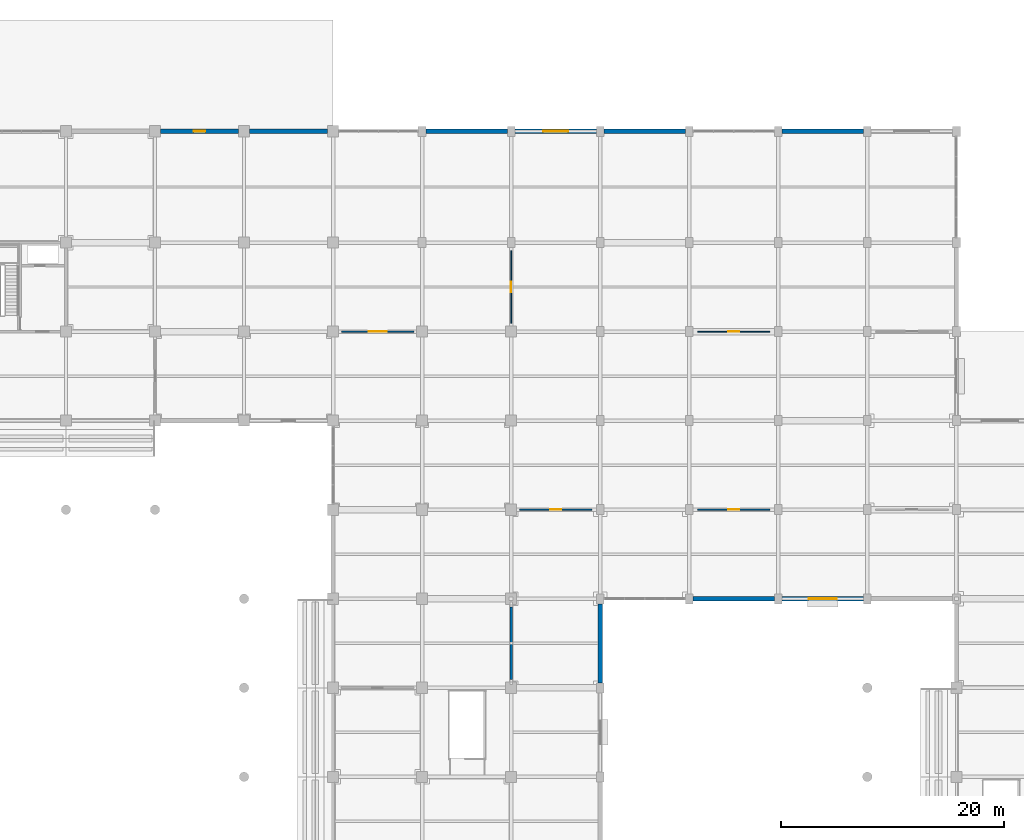
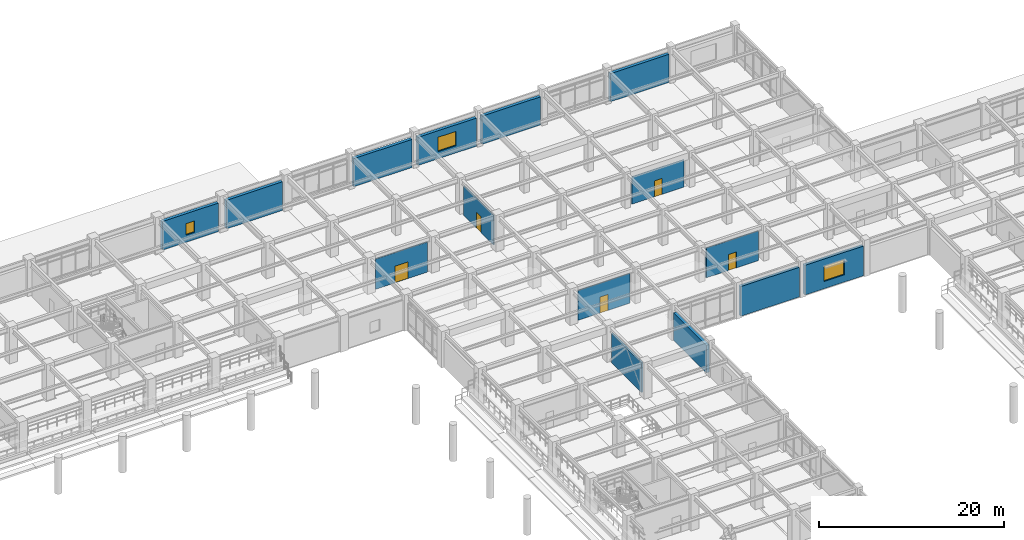
# One storey, part 84 of 117: 15 walls, 5 doors, 3 windows, 8 openings.
"""IFC4 building model written with IfcOpenShell, lengths in metres."""

from ifc_helpers import new_model, si_unit, direction, frame, frame_2d, origin, place, context, subcontext, project, spatial, rectangle, extrude, material, layer, layer_set, type_object, element, fill, save


model = new_model("IFC4")

# Units and contexts
model_context = context("Model", 3, precision=1e-05, world=origin(), true_north=direction((0.0, 1.0)))
body_context = subcontext(model_context, "Body", "Model", "MODEL_VIEW")
ifc_project = project(units=[si_unit("LENGTHUNIT", "METRE"), si_unit("AREAUNIT", "SQUARE_METRE"), si_unit("VOLUMEUNIT", "CUBIC_METRE"), si_unit("PLANEANGLEUNIT", "RADIAN"), si_unit("MASSUNIT", "GRAM", prefix="KILO")], contexts=[model_context])

# Site, building, storey
site_placement = place(None, origin())
site = spatial("IfcSite", under=ifc_project, at=site_placement, CompositionType="ELEMENT")
building_placement = place(site_placement, origin())
building = spatial("IfcBuilding", under=site, at=building_placement, Name="Haebicheon Civic Stadium", CompositionType="ELEMENT")
storey_placement = place(building_placement, frame((0.0, 0.0, 4.800048828125)))
storey = spatial("IfcBuildingStorey", under=building, at=storey_placement, Name="L02", CompositionType="ELEMENT", Elevation=4.800048828125)

# Wall, opening, window
ifc_material_1 = material(Name="Concrete C40/50", Category="concrete")
ifc_layer_1 = layer(ifc_material_1, 0.3798828125, Name="Concrete C40/50")
ifc_layer_set_1 = layer_set([ifc_layer_1], Name="Concrete C40/50")
wall_type_1 = type_object("IfcWallType", Name="EW-BM-380", PredefinedType="SOLIDWALL", material=ifc_layer_set_1)
wall_1_placement = place(storey_placement, frame((128.5, 178.0, 0.0), z_axis=(0.0, 0.0, 1.0), x_axis=(1.0, 0.0, 0.0)))
wall_1 = element("IfcWall", 1, at=wall_1_placement, inside=storey, type_object=wall_type_1, material=ifc_layer_set_1, Name="L02 board-marked concrete facade wall 16-22-N", PredefinedType="SOLIDWALL", context=body_context, shape_type="SweptSolid", body=[
    extrude(rectangle(XDim=7.0, YDim=0.3798828125, at=frame_2d((3.5, 0.0))), origin(), (0.0, 0.0, 1.0), 3.77001953125),
])
opening_1_placement = place(wall_1_placement, frame((2.97509765625, 0.0, 0.949951171875)))
opening_1 = element("IfcOpeningElement", 2, at=opening_1_placement, cuts=wall_1, Name="Opening WIN-105x150", PredefinedType="OPENING", context=body_context, shape_type="SweptSolid", body=[
    extrude(rectangle(XDim=1.050048828125, YDim=1.5, at=frame_2d((0.52490234375, 0.75))), frame((0.0, 0.199951171875, 0.0), z_axis=(0.0, -1.0, 0.0), x_axis=(1.0, 0.0, 0.0)), (0.0, 0.0, 1.0), 0.39990234375),
])
ifc_material_2 = material(Name="Anodised aluminium and laminated glass", Category="aluminium")
window_type_1 = type_object("IfcWindowType", Name="WIN-105x150", PartitioningType="SINGLE_PANEL", PredefinedType="WINDOW", material=ifc_material_2)
window_1_placement = place(opening_1_placement, origin())
window_1 = element("IfcWindow", 3, at=window_1_placement, inside=storey, type_object=window_type_1, material=ifc_material_2, Name="L02 facade window 046", OverallHeight=1.5, OverallWidth=1.050048828125, PartitioningType="SINGLE_PANEL", PredefinedType="WINDOW", context=body_context, shape_type="SweptSolid", body=[
    extrude(rectangle(XDim=1.050048828125, YDim=1.5, at=frame_2d((0.52490234375, 0.75))), frame((0.0, 0.030029296875, 0.0), z_axis=(0.0, -1.0, 0.0), x_axis=(1.0, 0.0, 0.0)), (0.0, 0.0, 1.0), 0.06005859375),
])
fill(opening_1, window_1)

# Walls
wall_2_placement = place(storey_placement, frame((136.5, 178.0, 0.0), z_axis=(0.0, 0.0, 1.0), x_axis=(1.0, 0.0, 0.0)))
element("IfcWall", 4, at=wall_2_placement, inside=storey, type_object=wall_type_1, material=ifc_layer_set_1, Name="L02 board-marked concrete facade wall 17-22-N", PredefinedType="SOLIDWALL", context=body_context, shape_type="SweptSolid", body=[
    extrude(rectangle(XDim=7.0, YDim=0.3798828125, at=frame_2d((3.5, 0.0))), origin(), (0.0, 0.0, 1.0), 3.77001953125),
])
wall_3_placement = place(storey_placement, frame((152.35009765625, 178.0, 0.0), z_axis=(0.0, 0.0, 1.0), x_axis=(1.0, 0.0, 0.0)))
element("IfcWall", 5, at=wall_3_placement, inside=storey, type_object=wall_type_1, material=ifc_layer_set_1, Name="L02 board-marked concrete facade wall 19-22-N", PredefinedType="SOLIDWALL", context=body_context, shape_type="SweptSolid", body=[
    extrude(rectangle(XDim=7.2998046875, YDim=0.3798828125, at=frame_2d((3.64990234375, 0.0))), origin(), (0.0, 0.0, 1.0), 3.7099609375),
])
wall_4_placement = place(storey_placement, frame((168.0, 128.449951171875, 0.0), z_axis=(0.0, 0.0, 1.0), x_axis=(0.0, 1.0, 0.0)))
element("IfcWall", 6, at=wall_4_placement, inside=storey, type_object=wall_type_1, material=ifc_layer_set_1, Name="L02 board-marked concrete facade wall 21-16-E", PredefinedType="SOLIDWALL", context=body_context, shape_type="SweptSolid", body=[
    extrude(rectangle(XDim=7.10009765625, YDim=0.3798828125, at=frame_2d((3.550048828125, 0.0))), origin(), (0.0, 0.0, 1.0), 3.60986328125),
])

# Wall, opening, window
wall_5_placement = place(storey_placement, frame((160.35009765625, 178.0, 0.0), z_axis=(0.0, 0.0, 1.0), x_axis=(1.0, 0.0, 0.0)))
wall_5 = element("IfcWall", 7, at=wall_5_placement, inside=storey, type_object=wall_type_1, material=ifc_layer_set_1, Name="L02 board-marked concrete facade wall 20-22-N", PredefinedType="SOLIDWALL", context=body_context, shape_type="SweptSolid", body=[
    extrude(rectangle(XDim=7.2998046875, YDim=0.3798828125, at=frame_2d((3.64990234375, 0.0))), origin(), (0.0, 0.0, 1.0), 3.7099609375),
])
opening_2_placement = place(wall_5_placement, frame((2.52490234375, 0.0, 0.949951171875)))
opening_2 = element("IfcOpeningElement", 8, at=opening_2_placement, cuts=wall_5, Name="Opening WIN-225x190", PredefinedType="OPENING", context=body_context, shape_type="SweptSolid", body=[
    extrude(rectangle(XDim=2.25, YDim=1.89990234375, at=frame_2d((1.125, 0.949951171875))), frame((0.0, 0.199951171875, 0.0), z_axis=(0.0, -1.0, 0.0), x_axis=(1.0, 0.0, 0.0)), (0.0, 0.0, 1.0), 0.39990234375),
])
ifc_material_3 = material(Name="Anodised aluminium and laminated glass", Category="aluminium")
window_type_2 = type_object("IfcWindowType", Name="WIN-225x190", PartitioningType="SINGLE_PANEL", PredefinedType="WINDOW", material=ifc_material_3)
window_2_placement = place(opening_2_placement, origin())
window_2 = element("IfcWindow", 9, at=window_2_placement, inside=storey, type_object=window_type_2, material=ifc_material_3, Name="L02 facade window 054", OverallHeight=1.89990234375, OverallWidth=2.25, PartitioningType="SINGLE_PANEL", PredefinedType="WINDOW", context=body_context, shape_type="SweptSolid", body=[
    extrude(rectangle(XDim=2.25, YDim=1.89990234375, at=frame_2d((1.125, 0.949951171875))), frame((0.0, 0.030029296875, 0.0), z_axis=(0.0, -1.0, 0.0), x_axis=(1.0, 0.0, 0.0)), (0.0, 0.0, 1.0), 0.06005859375),
])
fill(opening_2, window_2)

# Walls
wall_6_placement = place(storey_placement, frame((168.35009765625, 178.0, 0.0), z_axis=(0.0, 0.0, 1.0), x_axis=(1.0, 0.0, 0.0)))
element("IfcWall", 10, at=wall_6_placement, inside=storey, type_object=wall_type_1, material=ifc_layer_set_1, Name="L02 board-marked concrete facade wall 21-22-N", PredefinedType="SOLIDWALL", context=body_context, shape_type="SweptSolid", body=[
    extrude(rectangle(XDim=7.2998046875, YDim=0.3798828125, at=frame_2d((3.64990234375, 0.0))), origin(), (0.0, 0.0, 1.0), 3.7099609375),
])
wall_7_placement = place(storey_placement, frame((176.35009765625, 136.0, 0.0), z_axis=(0.0, 0.0, 1.0), x_axis=(1.0, 0.0, 0.0)))
element("IfcWall", 11, at=wall_7_placement, inside=storey, type_object=wall_type_1, material=ifc_layer_set_1, Name="L02 board-marked concrete facade wall 22-17-S", PredefinedType="SOLIDWALL", context=body_context, shape_type="SweptSolid", body=[
    extrude(rectangle(XDim=7.2998046875, YDim=0.3798828125, at=frame_2d((3.64990234375, 0.0))), origin(), (0.0, 0.0, 1.0), 3.909912109375),
])

# Wall, opening, window
wall_8_placement = place(storey_placement, frame((184.35009765625, 136.0, 0.0), z_axis=(0.0, 0.0, 1.0), x_axis=(1.0, 0.0, 0.0)))
wall_8 = element("IfcWall", 12, at=wall_8_placement, inside=storey, type_object=wall_type_1, material=ifc_layer_set_1, Name="L02 board-marked concrete facade wall 23-17-S", PredefinedType="SOLIDWALL", context=body_context, shape_type="SweptSolid", body=[
    extrude(rectangle(XDim=7.2998046875, YDim=0.3798828125, at=frame_2d((3.64990234375, 0.0))), origin(), (0.0, 0.0, 1.0), 3.909912109375),
])
opening_3_placement = place(wall_8_placement, frame((2.375, 0.0, 0.949951171875)))
opening_3 = element("IfcOpeningElement", 13, at=opening_3_placement, cuts=wall_8, Name="Opening WIN-255x200", PredefinedType="OPENING", context=body_context, shape_type="SweptSolid", body=[
    extrude(rectangle(XDim=2.550048828125, YDim=2.0, at=frame_2d((1.27490234375, 1.0))), frame((0.0, 0.199951171875, 0.0), z_axis=(0.0, -1.0, 0.0), x_axis=(1.0, 0.0, 0.0)), (0.0, 0.0, 1.0), 0.39990234375),
])
ifc_material_4 = material(Name="Anodised aluminium and laminated glass", Category="aluminium")
window_type_3 = type_object("IfcWindowType", Name="WIN-255x200", PartitioningType="SINGLE_PANEL", PredefinedType="WINDOW", material=ifc_material_4)
window_3_placement = place(opening_3_placement, origin())
window_3 = element("IfcWindow", 14, at=window_3_placement, inside=storey, type_object=window_type_3, material=ifc_material_4, Name="L02 facade window 056", OverallHeight=2.0, OverallWidth=2.550048828125, PartitioningType="SINGLE_PANEL", PredefinedType="WINDOW", context=body_context, shape_type="SweptSolid", body=[
    extrude(rectangle(XDim=2.550048828125, YDim=2.0, at=frame_2d((1.27490234375, 1.0))), frame((0.0, 0.030029296875, 0.0), z_axis=(0.0, -1.0, 0.0), x_axis=(1.0, 0.0, 0.0)), (0.0, 0.0, 1.0), 0.06005859375),
])
fill(opening_3, window_3)

# Walls
wall_9_placement = place(storey_placement, frame((184.35009765625, 178.0, 0.0), z_axis=(0.0, 0.0, 1.0), x_axis=(1.0, 0.0, 0.0)))
element("IfcWall", 15, at=wall_9_placement, inside=storey, type_object=wall_type_1, material=ifc_layer_set_1, Name="L02 board-marked concrete facade wall 23-22-N", PredefinedType="SOLIDWALL", context=body_context, shape_type="SweptSolid", body=[
    extrude(rectangle(XDim=7.2998046875, YDim=0.3798828125, at=frame_2d((3.64990234375, 0.0))), origin(), (0.0, 0.0, 1.0), 3.7099609375),
])
ifc_material_5 = material(Name="Concrete C35/45", Category="concrete")
ifc_layer_2 = layer(ifc_material_5, 0.199951171875, Name="Concrete C35/45")
ifc_layer_set_2 = layer_set([ifc_layer_2], Name="Concrete C35/45")
wall_type_2 = type_object("IfcWallType", Name="IW-FIR-200", PredefinedType="PARTITIONING", material=ifc_layer_set_2)
wall_10_placement = place(storey_placement, frame((160.0, 128.75, 0.0), z_axis=(0.0, 0.0, 1.0), x_axis=(0.0, 1.0, 0.0)))
element("IfcWall", 16, at=wall_10_placement, inside=storey, type_object=wall_type_2, material=ifc_layer_set_2, Name="L02 braced-frame solid fire wall 20-16", PredefinedType="PARTITIONING", context=body_context, shape_type="SweptSolid", body=[
    extrude(rectangle(XDim=6.5, YDim=0.199951171875, at=frame_2d((3.25, 0.0))), origin(), (0.0, 0.0, 1.0), 3.909912109375),
])

# Wall, opening, door
ifc_material_6 = material(Name="Anodised aluminium and laminated glass", Category="aluminium")
ifc_layer_3 = layer(ifc_material_6, 0.10009765625, Name="Anodised aluminium and laminated glass")
ifc_layer_set_3 = layer_set([ifc_layer_3], Name="Anodised aluminium and laminated glass")
wall_type_3 = type_object("IfcWallType", Name="IW-PRT-100", PredefinedType="PARTITIONING", material=ifc_layer_set_3)
wall_11_placement = place(storey_placement, frame((160.0, 160.75, 0.0), z_axis=(0.0, 0.0, 1.0), x_axis=(0.0, 1.0, 0.0)))
wall_11 = element("IfcWall", 17, at=wall_11_placement, inside=storey, type_object=wall_type_3, material=ifc_layer_set_3, Name="L02 Supporters' Club Lounge partition wall", PredefinedType="PARTITIONING", context=body_context, shape_type="SweptSolid", body=[
    extrude(rectangle(XDim=6.5, YDim=0.10009765625, at=frame_2d((3.25, 0.0))), origin(), (0.0, 0.0, 1.0), 3.909912109375),
])
opening_4_placement = place(wall_11_placement, frame((2.77490234375, 0.0, 0.0)))
opening_4 = element("IfcOpeningElement", 18, at=opening_4_placement, cuts=wall_11, Name="Opening D-L02-239", PredefinedType="OPENING", context=body_context, shape_type="SweptSolid", body=[
    extrude(rectangle(XDim=0.949951171875, YDim=2.10009765625, at=frame_2d((0.47509765625, 1.050048828125))), frame((0.0, 0.06005859375, 0.0), z_axis=(0.0, -1.0, 0.0), x_axis=(1.0, 0.0, 0.0)), (0.0, 0.0, 1.0), 0.1201171875),
])
ifc_material_7 = material(Name="Engineered hardwood timber", Category="wood")
door_type_1 = type_object("IfcDoorType", Name="ID-RM-0950", OperationType="NOTDEFINED", PredefinedType="DOOR", material=ifc_material_7)
door_1_placement = place(opening_4_placement, origin())
door_1 = element("IfcDoor", 19, at=door_1_placement, inside=storey, type_object=door_type_1, material=ifc_material_7, Name="L02 Supporters' Club Lounge entrance door D-L02-239", OperationType="SINGLE_SWING_RIGHT", OverallHeight=2.10009765625, OverallWidth=0.949951171875, PredefinedType="DOOR", context=body_context, shape_type="SweptSolid", body=[
    extrude(rectangle(XDim=0.949951171875, YDim=2.10009765625, at=frame_2d((0.47509765625, 1.050048828125))), frame((0.0, 0.02490234375, 0.0), z_axis=(0.0, -1.0, 0.0), x_axis=(1.0, 0.0, 0.0)), (0.0, 0.0, 1.0), 0.050048828125),
])
fill(opening_4, door_1)

wall_12_placement = place(storey_placement, frame((176.75, 160.0, 0.0), z_axis=(0.0, 0.0, 1.0), x_axis=(1.0, 0.0, 0.0)))
wall_12 = element("IfcWall", 20, at=wall_12_placement, inside=storey, type_object=wall_type_3, material=ifc_layer_set_3, Name="L02 Supporters' Club Lounge partition wall", PredefinedType="PARTITIONING", context=body_context, shape_type="SweptSolid", body=[
    extrude(rectangle(XDim=6.5, YDim=0.10009765625, at=frame_2d((3.25, 0.0))), origin(), (0.0, 0.0, 1.0), 3.60986328125),
])
opening_5_placement = place(wall_12_placement, frame((2.77490234375, 0.0, 0.0)))
opening_5 = element("IfcOpeningElement", 21, at=opening_5_placement, cuts=wall_12, Name="Opening D-L02-243", PredefinedType="OPENING", context=body_context, shape_type="SweptSolid", body=[
    extrude(rectangle(XDim=0.949951171875, YDim=2.10009765625, at=frame_2d((0.47509765625, 1.050048828125))), frame((0.0, 0.06005859375, 0.0), z_axis=(0.0, -1.0, 0.0), x_axis=(1.0, 0.0, 0.0)), (0.0, 0.0, 1.0), 0.1201171875),
])
door_2_placement = place(opening_5_placement, origin())
door_2 = element("IfcDoor", 22, at=door_2_placement, inside=storey, type_object=door_type_1, material=ifc_material_7, Name="L02 Supporters' Club Lounge entrance door D-L02-243", OperationType="SINGLE_SWING_RIGHT", OverallHeight=2.10009765625, OverallWidth=0.949951171875, PredefinedType="DOOR", context=body_context, shape_type="SweptSolid", body=[
    extrude(rectangle(XDim=0.949951171875, YDim=2.10009765625, at=frame_2d((0.47509765625, 1.050048828125))), frame((0.0, 0.02490234375, 0.0), z_axis=(0.0, -1.0, 0.0), x_axis=(1.0, 0.0, 0.0)), (0.0, 0.0, 1.0), 0.050048828125),
])
fill(opening_5, door_2)

ifc_material_8 = material(Name="Gypsum plasterboard on steel studs", Category="gypsum")
ifc_layer_4 = layer(ifc_material_8, 0.1201171875, Name="Gypsum plasterboard on steel studs")
ifc_layer_set_4 = layer_set([ifc_layer_4], Name="Gypsum plasterboard on steel studs")
wall_type_4 = type_object("IfcWallType", Name="IW-PRT-120", PredefinedType="PARTITIONING", material=ifc_layer_set_4)
wall_13_placement = place(storey_placement, frame((160.75, 144.0, 0.0), z_axis=(0.0, 0.0, 1.0), x_axis=(1.0, 0.0, 0.0)))
wall_13 = element("IfcWall", 23, at=wall_13_placement, inside=storey, type_object=wall_type_4, material=ifc_layer_set_4, Name="L02 Sports Heritage Reading Room partition wall", PredefinedType="PARTITIONING", context=body_context, shape_type="SweptSolid", body=[
    extrude(rectangle(XDim=6.5, YDim=0.1201171875, at=frame_2d((3.25, 0.0))), origin(), (0.0, 0.0, 1.0), 3.909912109375),
])
opening_6_placement = place(wall_13_placement, frame((2.75, 0.0, 0.0)))
opening_6 = element("IfcOpeningElement", 24, at=opening_6_placement, cuts=wall_13, Name="Opening D-L02-238", PredefinedType="OPENING", context=body_context, shape_type="SweptSolid", body=[
    extrude(rectangle(XDim=1.0, YDim=2.10009765625, at=frame_2d((0.5, 1.050048828125))), frame((0.0, 0.070068359375, 0.0), z_axis=(0.0, -1.0, 0.0), x_axis=(1.0, 0.0, 0.0)), (0.0, 0.0, 1.0), 0.14013671875),
])
ifc_material_9 = material(Name="Engineered hardwood timber", Category="wood")
door_type_2 = type_object("IfcDoorType", Name="ID-RM-1000", OperationType="NOTDEFINED", PredefinedType="DOOR", material=ifc_material_9)
door_3_placement = place(opening_6_placement, origin())
door_3 = element("IfcDoor", 25, at=door_3_placement, inside=storey, type_object=door_type_2, material=ifc_material_9, Name="L02 Sports Heritage Reading Room entrance door D-L02-238", OperationType="SINGLE_SWING_LEFT", OverallHeight=2.10009765625, OverallWidth=1.0, PredefinedType="DOOR", context=body_context, shape_type="SweptSolid", body=[
    extrude(rectangle(XDim=1.0, YDim=2.10009765625, at=frame_2d((0.5, 1.050048828125))), frame((0.0, 0.02490234375, 0.0), z_axis=(0.0, -1.0, 0.0), x_axis=(1.0, 0.0, 0.0)), (0.0, 0.0, 1.0), 0.050048828125),
])
fill(opening_6, door_3)

wall_14_placement = place(storey_placement, frame((176.75, 144.0, 0.0), z_axis=(0.0, 0.0, 1.0), x_axis=(1.0, 0.0, 0.0)))
wall_14 = element("IfcWall", 26, at=wall_14_placement, inside=storey, type_object=wall_type_4, material=ifc_layer_set_4, Name="L02 Sports Heritage Reading Room partition wall", PredefinedType="PARTITIONING", context=body_context, shape_type="SweptSolid", body=[
    extrude(rectangle(XDim=6.5, YDim=0.1201171875, at=frame_2d((3.25, 0.0))), origin(), (0.0, 0.0, 1.0), 3.909912109375),
])
opening_7_placement = place(wall_14_placement, frame((2.75, 0.0, 0.0)))
opening_7 = element("IfcOpeningElement", 27, at=opening_7_placement, cuts=wall_14, Name="Opening D-L02-242", PredefinedType="OPENING", context=body_context, shape_type="SweptSolid", body=[
    extrude(rectangle(XDim=1.0, YDim=2.10009765625, at=frame_2d((0.5, 1.050048828125))), frame((0.0, 0.070068359375, 0.0), z_axis=(0.0, -1.0, 0.0), x_axis=(1.0, 0.0, 0.0)), (0.0, 0.0, 1.0), 0.14013671875),
])
door_4_placement = place(opening_7_placement, origin())
door_4 = element("IfcDoor", 28, at=door_4_placement, inside=storey, type_object=door_type_2, material=ifc_material_9, Name="L02 Sports Heritage Reading Room entrance door D-L02-242", OperationType="SINGLE_SWING_LEFT", OverallHeight=2.10009765625, OverallWidth=1.0, PredefinedType="DOOR", context=body_context, shape_type="SweptSolid", body=[
    extrude(rectangle(XDim=1.0, YDim=2.10009765625, at=frame_2d((0.5, 1.050048828125))), frame((0.0, 0.02490234375, 0.0), z_axis=(0.0, -1.0, 0.0), x_axis=(1.0, 0.0, 0.0)), (0.0, 0.0, 1.0), 0.050048828125),
])
fill(opening_7, door_4)

ifc_material_10 = material(Name="Gypsum plasterboard on steel studs", Category="gypsum")
ifc_layer_5 = layer(ifc_material_10, 0.14990234375, Name="Gypsum plasterboard on steel studs")
ifc_layer_set_5 = layer_set([ifc_layer_5], Name="Gypsum plasterboard on steel studs")
wall_type_5 = type_object("IfcWallType", Name="IW-PRT-150", PredefinedType="PARTITIONING", material=ifc_layer_set_5)
wall_15_placement = place(storey_placement, frame((144.75, 160.0, 0.0), z_axis=(0.0, 0.0, 1.0), x_axis=(1.0, 0.0, 0.0)))
wall_15 = element("IfcWall", 29, at=wall_15_placement, inside=storey, type_object=wall_type_5, material=ifc_layer_set_5, Name="L02 Supporters' Club Lounge partition wall", PredefinedType="PARTITIONING", context=body_context, shape_type="SweptSolid", body=[
    extrude(rectangle(XDim=6.5, YDim=0.14990234375, at=frame_2d((3.25, 0.0))), origin(), (0.0, 0.0, 1.0), 3.969970703125),
])
opening_8_placement = place(wall_15_placement, frame((2.449951171875, 0.0, 0.0)))
opening_8 = element("IfcOpeningElement", 30, at=opening_8_placement, cuts=wall_15, Name="Opening D-L02-232", PredefinedType="OPENING", context=body_context, shape_type="SweptSolid", body=[
    extrude(rectangle(XDim=1.60009765625, YDim=2.199951171875, at=frame_2d((0.800048828125, 1.10009765625))), frame((0.0, 0.0849609375, 0.0), z_axis=(0.0, -1.0, 0.0), x_axis=(1.0, 0.0, 0.0)), (0.0, 0.0, 1.0), 0.169921875),
])
ifc_material_11 = material(Name="Anodised aluminium and laminated glass", Category="aluminium")
door_type_3 = type_object("IfcDoorType", Name="ID-DBL-1600", OperationType="NOTDEFINED", PredefinedType="DOOR", material=ifc_material_11)
door_5_placement = place(opening_8_placement, origin())
door_5 = element("IfcDoor", 31, at=door_5_placement, inside=storey, type_object=door_type_3, material=ifc_material_11, Name="L02 Supporters' Club Lounge entrance door D-L02-232", OperationType="DOUBLE_SWING_LEFT", OverallHeight=2.199951171875, OverallWidth=1.60009765625, PredefinedType="DOOR", context=body_context, shape_type="SweptSolid", body=[
    extrude(rectangle(XDim=1.60009765625, YDim=2.199951171875, at=frame_2d((0.800048828125, 1.10009765625))), frame((0.0, 0.02490234375, 0.0), z_axis=(0.0, -1.0, 0.0), x_axis=(1.0, 0.0, 0.0)), (0.0, 0.0, 1.0), 0.050048828125),
])
fill(opening_8, door_5)

save(model, "model.ifc")
